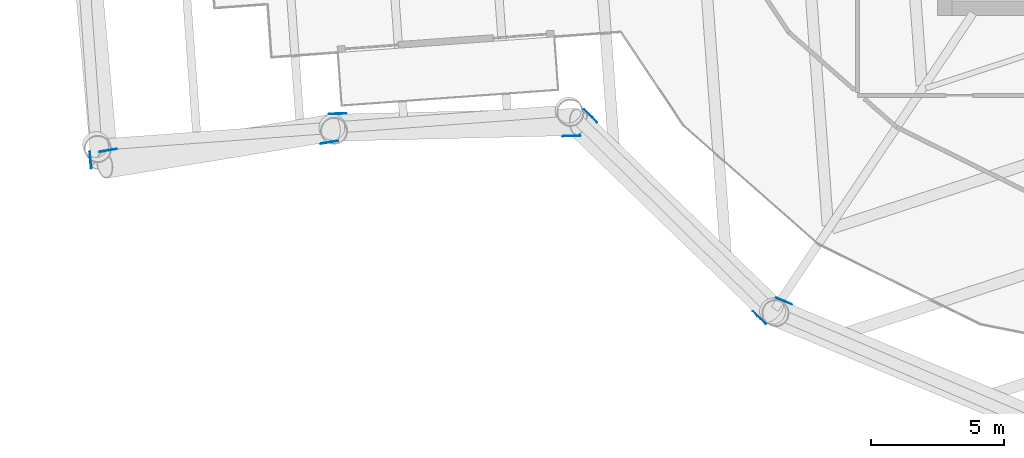
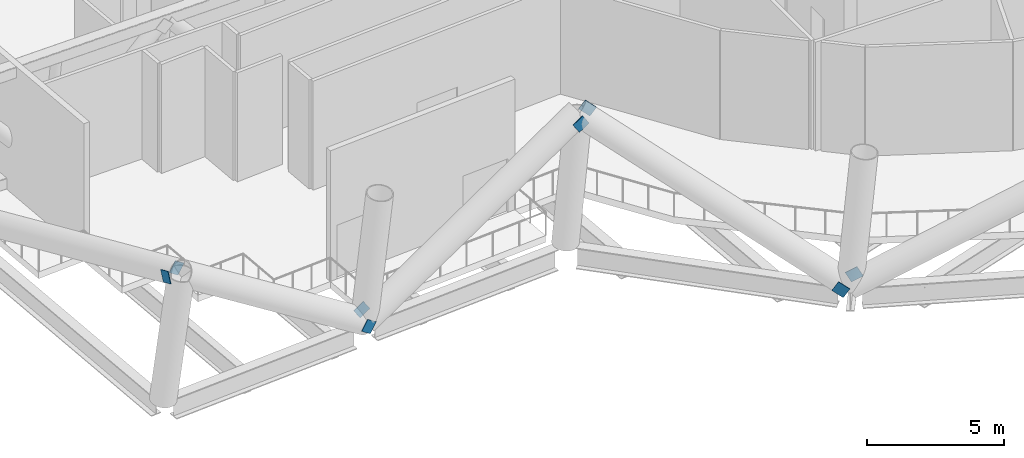
# One storey, part 17 of 33: 8 discrete accessories.
"""IFC4 building model written with IfcOpenShell, lengths in metres."""

from ifc_helpers import new_model, si_unit, direction, frame, origin, origin_2d, place, context, subcontext, project, spatial, rectangle, extrude, material, material_profile, profile_set, type_object, element, save


model = new_model("IFC4")

# Units and contexts
model_context = context("Model", 3, precision=1e-05, world=origin(), true_north=direction((0.0, 1.0)))
body_context = subcontext(model_context, "Body", "Model", "MODEL_VIEW")
ifc_project = project(units=[si_unit("LENGTHUNIT", "METRE"), si_unit("AREAUNIT", "SQUARE_METRE"), si_unit("VOLUMEUNIT", "CUBIC_METRE"), si_unit("PLANEANGLEUNIT", "RADIAN"), si_unit("MASSUNIT", "GRAM", prefix="KILO")], contexts=[model_context])

# Site, building, storey
site_placement = place(None, origin())
site = spatial("IfcSite", under=ifc_project, at=site_placement, CompositionType="ELEMENT")
building_placement = place(site_placement, origin())
building = spatial("IfcBuilding", under=site, at=building_placement, Name="Tarsis Ring Headquarters", CompositionType="ELEMENT")
storey_placement = place(building_placement, frame((0.0, 0.0, 302.0)))
storey = spatial("IfcBuildingStorey", under=building, at=storey_placement, Name="L71", CompositionType="ELEMENT", Elevation=302.0)

# Discrete accessories
ifc_material = material(Name="Structural steel S355", Category="steel")
ifc_material_profile = material_profile(ifc_material, rectangle(XDim=0.02490234375, YDim=0.5, at=origin_2d()), Name="PL 25x500")
ifc_profile_set = profile_set([ifc_material_profile], Name="Structural steel S355")
discrete_accessory_type = type_object("IfcDiscreteAccessoryType", Name="Gusset plate Belt truss 25", PredefinedType="BRACKET", material=ifc_profile_set)
for number, where, z_axis, x_axis, name in (
    (1, (-15.97607421875, -23.647216796875, 0.0), (0.815019719297, -0.339876407808, 0.469283373424), (0.384890233064, 0.922962354862, 0.0), "Gusset plate GP4"),
    (2, (-41.80078125, -18.6650390625, 6.0), (-0.08448544796, 0.929339927562, -0.359429420224), (-0.995893206468, -0.090535746043, 0.0), "Gusset plate GP4"),
    (3, (-32.65087890625, -17.733642578125, 0.0), (-0.811213401624, -0.132841688887, 0.569461063392), (0.161604294859, -0.986855638826, 0.0), "Gusset plate GP4"),
    (4, (-41.366455078125, -18.1044921875, 6.0), (0.811213401624, 0.132841688887, -0.569461063392), (-0.161604294859, 0.986855638826, 0.0), "Gusset plate GP4"),
    (5, (-32.7470703125, -16.69970703125, 0.0), (0.836964749213, 0.019532432887, 0.546908120839), (-0.023330870436, 0.999727798195, 0.0), "Gusset plate GP4"),
    (6, (-23.5390625, -17.52490234375, 6.0), (-0.836964749213, -0.019532432887, -0.546908120839), (0.023330870436, -0.999727798195, 0.0), "Gusset plate GP4"),
    (7, (-16.5380859375, -24.501953125, 0.0), (-0.620732978914, 0.599732571288, 0.504986546182), (-0.694836822785, -0.719167428143, 0.0), "Gusset plate GP4"),
    (8, (-23.189697265625, -16.630126953125, 6.0), (0.620732978914, -0.599732571288, -0.504986546182), (0.694836822785, 0.719167428143, 0.0), "Gusset plate GP4"),
):
    element("IfcDiscreteAccessory", number, at=place(storey_placement, frame(where, z_axis=z_axis, x_axis=x_axis)), inside=storey, type_object=discrete_accessory_type, Name=name, PredefinedType="BRACKET", context=body_context, shape_type="SweptSolid", body=[
        extrude(rectangle(XDim=0.02490234375, YDim=0.5, at=origin_2d()), origin(), (0.0, 0.0, 1.0), 0.5),
    ])

save(model, "model.ifc")
